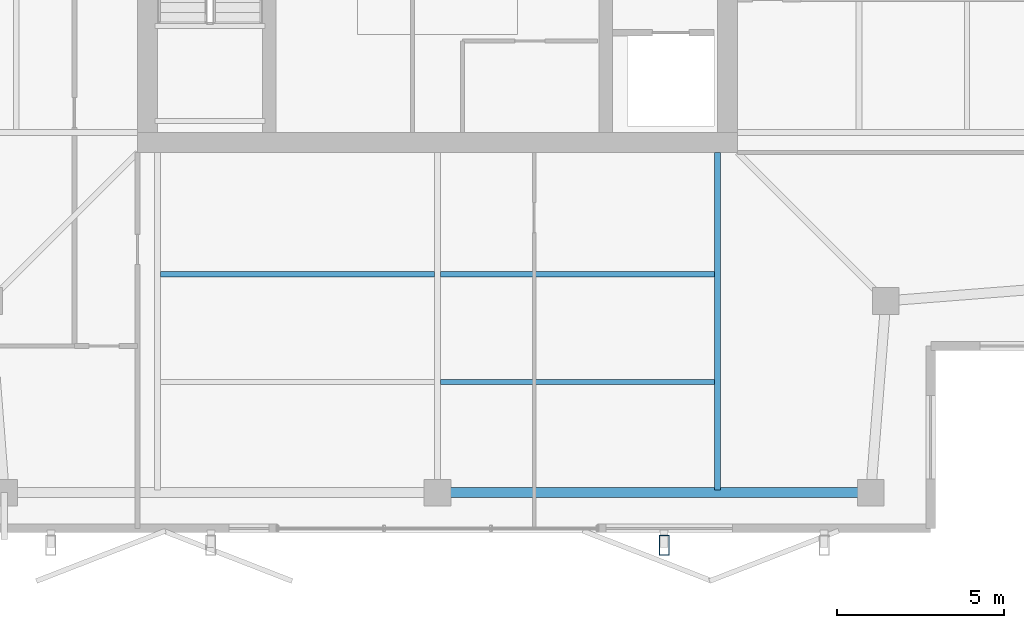
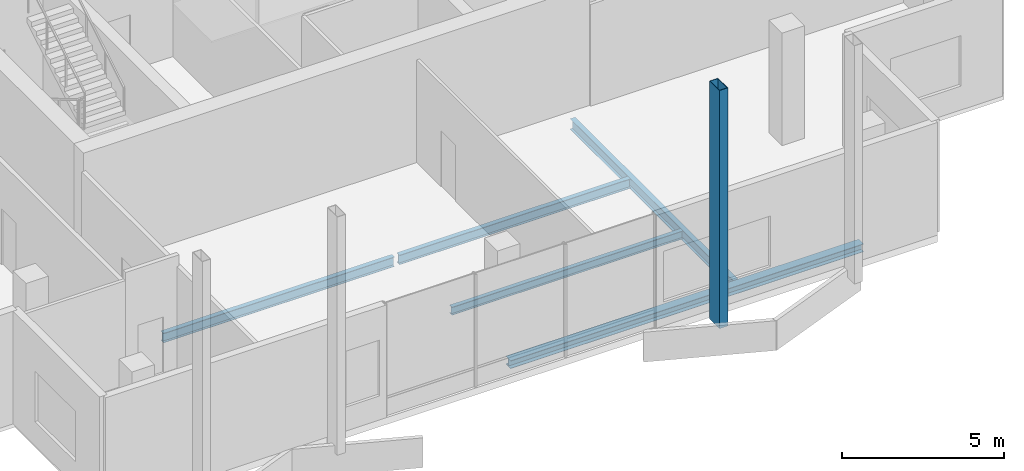
# One storey, part 3 of 15: 5 beams, 1 member.
"""IFC4 building model written with IfcOpenShell, lengths in metres."""

from ifc_helpers import new_model, si_unit, direction, frame, origin, origin_2d, place, context, subcontext, project, spatial, hollow_rectangle, i_section, extrude, material, material_profile, profile_set, type_object, element, save


model = new_model("IFC4")

# Units and contexts
model_context = context("Model", 3, precision=1e-05, world=origin(), true_north=direction((0.0, 1.0)))
body_context = subcontext(model_context, "Body", "Model", "MODEL_VIEW")
ifc_project = project(units=[si_unit("LENGTHUNIT", "METRE"), si_unit("AREAUNIT", "SQUARE_METRE"), si_unit("VOLUMEUNIT", "CUBIC_METRE"), si_unit("PLANEANGLEUNIT", "RADIAN"), si_unit("MASSUNIT", "GRAM", prefix="KILO")], contexts=[model_context])

# Site, building, storey
site_placement = place(None, origin())
site = spatial("IfcSite", under=ifc_project, at=site_placement, CompositionType="ELEMENT")
building_placement = place(site_placement, origin())
building = spatial("IfcBuilding", under=site, at=building_placement, Name="Belovzor Exchange Tower", CompositionType="ELEMENT")
storey_placement = place(building_placement, frame((0.0, 0.0, 360.0)))
storey = spatial("IfcBuildingStorey", under=building, at=storey_placement, Name="L90", CompositionType="ELEMENT", Elevation=360.0)

# Beams
ifc_material_1 = material(Name="Steel S355", Category="steel")
ifc_material_profile_1 = material_profile(ifc_material_1, i_section(OverallWidth=0.169921875, OverallDepth=0.360107421875, WebThickness=0.008056640625, FlangeThickness=0.0126953125, at=origin_2d()))
ifc_profile_set_1 = profile_set([ifc_material_profile_1], Name="Steel S355")
beam_type_1 = type_object("IfcBeamType", Name="Secondary Infill Floor Joist IPE 360", PredefinedType="BEAM", material=ifc_profile_set_1)
beam_1_placement = place(storey_placement, frame((20.489990234375, 16.155029296875, -0.43994140625), z_axis=(1.0, 0.0, 0.0), x_axis=(0.0, 1.0, 0.0)))
element("IfcBeam", 1, at=beam_1_placement, inside=storey, type_object=beam_type_1, Name="FJ-360 Secondary Infill Floor Joist IPE 360", PredefinedType="BEAM", context=body_context, shape_type="SweptSolid", body=[
    extrude(i_section(OverallWidth=0.169921875, OverallDepth=0.360107421875, WebThickness=0.008056640625, FlangeThickness=0.0126953125, at=origin_2d()), origin(), (0.0, 0.0, 1.0), 8.219970703125),
])
beam_2_placement = place(storey_placement, frame((28.889892578125, 16.155029296875, -0.43994140625), z_axis=(1.0, 0.0, 0.0), x_axis=(0.0, 1.0, 0.0)))
element("IfcBeam", 2, at=beam_2_placement, inside=storey, type_object=beam_type_1, Name="FJ-360 Secondary Infill Floor Joist IPE 360", PredefinedType="BEAM", context=body_context, shape_type="SweptSolid", body=[
    extrude(i_section(OverallWidth=0.169921875, OverallDepth=0.360107421875, WebThickness=0.008056640625, FlangeThickness=0.0126953125, at=origin_2d()), origin(), (0.0, 0.0, 1.0), 8.22021484375),
])
ifc_material_2 = material(Name="Steel S355", Category="steel")
ifc_material_profile_2 = material_profile(ifc_material_2, i_section(OverallWidth=0.14990234375, OverallDepth=0.300048828125, WebThickness=0.007080078125, FlangeThickness=0.0107421875, at=origin_2d()))
ifc_profile_set_2 = profile_set([ifc_material_profile_2], Name="Steel S355")
beam_type_2 = type_object("IfcBeamType", Name="Secondary Trim Floor Joist IPE 300", PredefinedType="BEAM", material=ifc_profile_set_2)
beam_3_placement = place(storey_placement, frame((28.889892578125, 12.9150390625, -0.409912109375), z_axis=(1.0, 0.0, 0.0), x_axis=(0.0, 1.0, 0.0)))
element("IfcBeam", 3, at=beam_3_placement, inside=storey, type_object=beam_type_2, Name="FJ-300 Secondary Trim Floor Joist IPE 300", PredefinedType="BEAM", context=body_context, shape_type="SweptSolid", body=[
    extrude(i_section(OverallWidth=0.14990234375, OverallDepth=0.300048828125, WebThickness=0.007080078125, FlangeThickness=0.0107421875, at=origin_2d()), origin(), (0.0, 0.0, 1.0), 8.22021484375),
])

# Member
ifc_material_3 = material(Name="Extruded Architectural Terracotta on Steel S355 Carrier", Category="masonry")
ifc_material_profile_3 = material_profile(ifc_material_3, hollow_rectangle(XDim=0.300048828125, YDim=0.60009765625, WallThickness=0.01611328125, at=origin_2d()))
ifc_profile_set_3 = profile_set([ifc_material_profile_3], Name="Extruded Architectural Terracotta on Steel S355 Carrier")
member_type = type_object("IfcMemberType", Name="Upper Crown Terracotta Fin Assembly 550", PredefinedType="USERDEFINED", material=ifc_profile_set_3)
member_placement = place(storey_placement, frame((35.60009765625, 8.02490234375, -0.260009765625), z_axis=(0.0, 0.0, 1.0), x_axis=(1.0, 0.0, 0.0)))
element("IfcMember", 4, at=member_placement, inside=storey, type_object=member_type, Name="FIN-TC055 Terracotta Facade Fin L90 S3", ObjectType="FIN", PredefinedType="USERDEFINED", context=body_context, shape_type="SweptSolid", body=[
    extrude(hollow_rectangle(XDim=0.300048828125, YDim=0.60009765625, WallThickness=0.01611328125, at=origin_2d()), origin(), (0.0, 0.0, 1.0), 8.9599609375),
])

# Beams
ifc_material_4 = material(Name="Steel S355", Category="steel")
ifc_material_profile_4 = material_profile(ifc_material_4, i_section(OverallWidth=0.179931640625, OverallDepth=0.39990234375, WebThickness=0.008544921875, FlangeThickness=0.013427734375, at=origin_2d()))
ifc_profile_set_4 = profile_set([ifc_material_profile_4], Name="Steel S355")
beam_type_3 = type_object("IfcBeamType", Name="Zone 5-6 Radial Composite Floor Beam IPE 400", PredefinedType="BEAM", material=ifc_profile_set_4)
beam_4_placement = place(storey_placement, frame((37.199951171875, 19.800048828125, -0.4599609375), z_axis=(0.0, -1.0, 0.0), x_axis=(1.0, 0.0, 0.0)))
element("IfcBeam", 5, at=beam_4_placement, inside=storey, type_object=beam_type_3, Name="FB-400 Zone 5-6 Radial Composite Floor Beam IPE 400", PredefinedType="BEAM", context=body_context, shape_type="SweptSolid", body=[
    extrude(i_section(OverallWidth=0.179931640625, OverallDepth=0.39990234375, WebThickness=0.008544921875, FlangeThickness=0.013427734375, at=origin_2d()), origin(), (0.0, 0.0, 1.0), 10.125),
])
ifc_material_5 = material(Name="Steel S355", Category="steel")
ifc_material_profile_5 = material_profile(ifc_material_5, i_section(OverallWidth=0.300048828125, OverallDepth=0.300048828125, WebThickness=0.008544921875, FlangeThickness=0.013916015625, at=origin_2d()))
ifc_profile_set_5 = profile_set([ifc_material_profile_5], Name="Steel S355")
beam_type_4 = type_object("IfcBeamType", Name="Zone 6 Primary Girder HEA 300", PredefinedType="BEAM", material=ifc_profile_set_5)
beam_5_placement = place(storey_placement, frame((29.02001953125, 9.60009765625, -0.409912109375), z_axis=(1.0, 0.0, 0.0), x_axis=(0.0, 1.0, 0.0)))
element("IfcBeam", 6, at=beam_5_placement, inside=storey, type_object=beam_type_4, Name="FG-Z6 Zone 6 Primary Girder HEA 300", PredefinedType="BEAM", context=body_context, shape_type="SweptSolid", body=[
    extrude(i_section(OverallWidth=0.300048828125, OverallDepth=0.300048828125, WebThickness=0.008544921875, FlangeThickness=0.013916015625, at=origin_2d()), origin(), (0.0, 0.0, 1.0), 12.56005859375),
])

save(model, "model.ifc")
